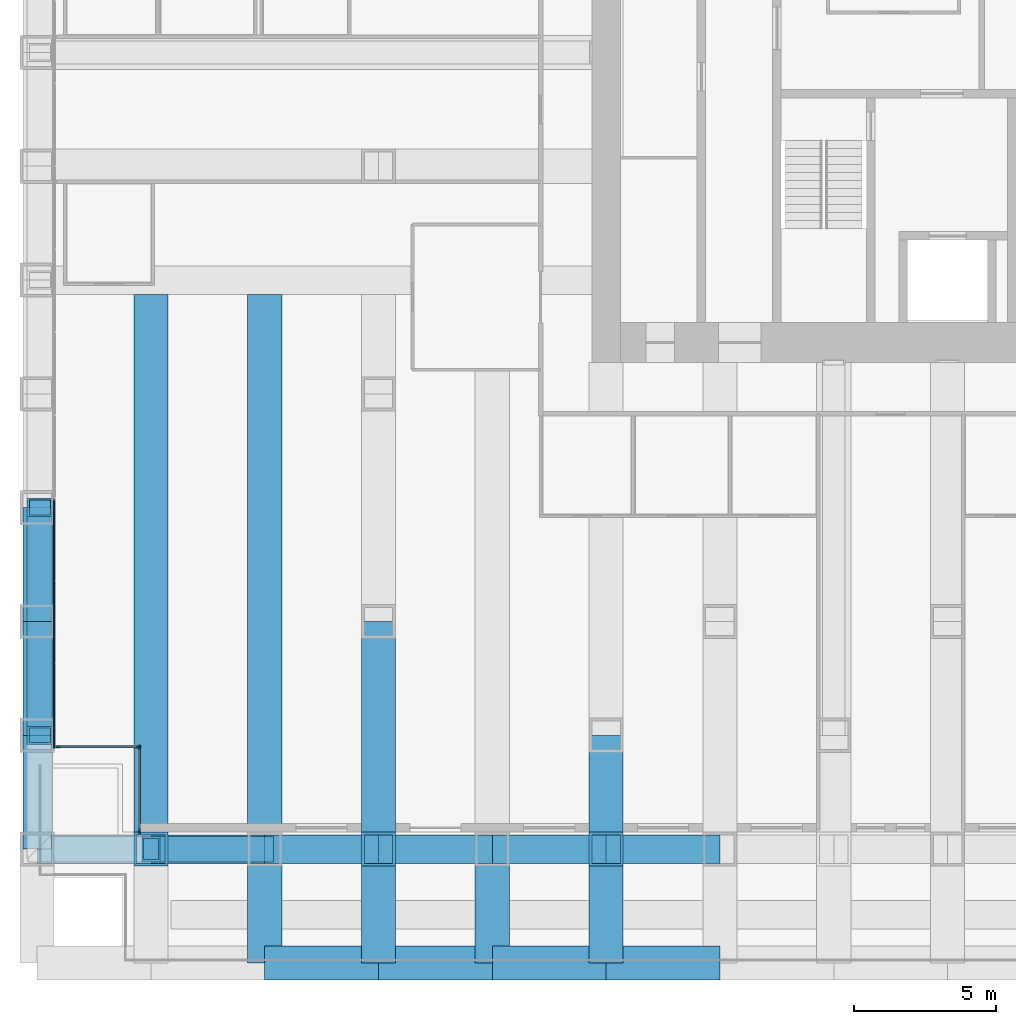
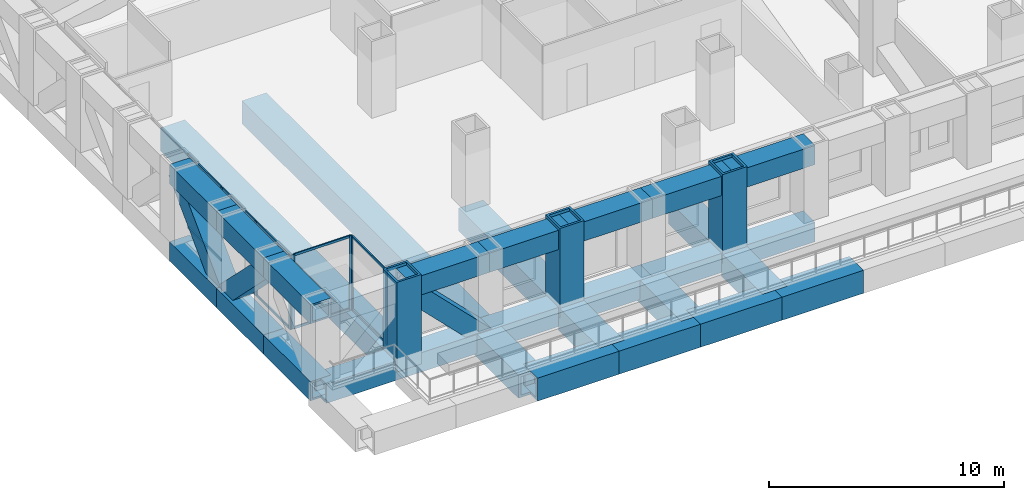
# One storey, part 2 of 18: 26 beams, 23 members, 3 elements without a shape of their own.
"""IFC4 building model written with IfcOpenShell, lengths in metres."""

from ifc_helpers import new_model, si_unit, direction, frame, origin, origin_2d, place, context, subcontext, project, spatial, rectangle, hollow_rectangle, extrude, material, material_profile, profile_set, type_object, element, aggregate, save


model = new_model("IFC4")

# Units and contexts
model_context = context("Model", 3, precision=1e-05, world=origin(), true_north=direction((0.0, 1.0)))
body_context = subcontext(model_context, "Body", "Model", "MODEL_VIEW")
ifc_project = project(units=[si_unit("LENGTHUNIT", "METRE"), si_unit("AREAUNIT", "SQUARE_METRE"), si_unit("VOLUMEUNIT", "CUBIC_METRE"), si_unit("PLANEANGLEUNIT", "RADIAN"), si_unit("MASSUNIT", "GRAM", prefix="KILO")], contexts=[model_context])

# Site, building, storey
site_placement = place(None, origin())
site = spatial("IfcSite", under=ifc_project, at=site_placement, CompositionType="ELEMENT")
building_placement = place(site_placement, origin())
building = spatial("IfcBuilding", under=site, at=building_placement, Name="Rimbunsela Tower", CompositionType="ELEMENT")
storey_placement = place(building_placement, frame((0.0, 0.0, 43.0)))
storey = spatial("IfcBuildingStorey", under=building, at=storey_placement, Name="L10", CompositionType="ELEMENT", Elevation=43.0)

# Beams
ifc_material_1 = material(Name="Steel BJ 55 (fy 410 MPa)", Category="steel")
ifc_material_profile_1 = material_profile(ifc_material_1, hollow_rectangle(XDim=1.199951171875, YDim=1.199951171875, WallThickness=0.10009765625, at=origin_2d()), Name="BOX 1200x1200x100")
ifc_profile_set_1 = profile_set([ifc_material_profile_1], Name="Steel BJ 55 (fy 410 MPa)")
beam_type_1 = type_object("IfcBeamType", Name="Beam BOX 1200x1200x100", PredefinedType="BEAM", material=ifc_profile_set_1)
beam_1_placement = place(storey_placement, frame((6.0, 0.0, -0.75), z_axis=(0.0, 1.0, 0.0), x_axis=(-1.0, 0.0, 0.0)))
element("IfcBeam", 1, at=beam_1_placement, inside=storey, type_object=beam_type_1, Name="Beam B5 L10", PredefinedType="BEAM", context=body_context, shape_type="SweptSolid", body=[
    extrude(hollow_rectangle(XDim=1.199951171875, YDim=1.199951171875, WallThickness=0.10009765625, at=origin_2d()), origin(), (0.0, 0.0, 1.0), 19.5),
])
beam_2_placement = place(storey_placement, frame((10.0, 0.5, -0.75), z_axis=(0.0, 1.0, 0.0), x_axis=(-1.0, 0.0, 0.0)))
element("IfcBeam", 2, at=beam_2_placement, inside=storey, type_object=beam_type_1, Name="Beam B5 L10", PredefinedType="BEAM", context=body_context, shape_type="SweptSolid", body=[
    extrude(hollow_rectangle(XDim=1.199951171875, YDim=1.199951171875, WallThickness=0.10009765625, at=origin_2d()), origin(), (0.0, 0.0, 1.0), 7.5),
])
beam_3_placement = place(storey_placement, frame((18.0, 0.5, -0.75), z_axis=(0.0, 1.0, 0.0), x_axis=(-1.0, 0.0, 0.0)))
element("IfcBeam", 3, at=beam_3_placement, inside=storey, type_object=beam_type_1, Name="Beam B5 L10", PredefinedType="BEAM", context=body_context, shape_type="SweptSolid", body=[
    extrude(hollow_rectangle(XDim=1.199951171875, YDim=1.199951171875, WallThickness=0.10009765625, at=origin_2d()), origin(), (0.0, 0.0, 1.0), 3.5),
])
ifc_material_2 = material(Name="Steel BJ 55 (fy 410 MPa)", Category="steel")
ifc_material_profile_2 = material_profile(ifc_material_2, hollow_rectangle(XDim=1.199951171875, YDim=1.199951171875, WallThickness=0.125, at=origin_2d()), Name="BOX 1200x1200x125")
ifc_profile_set_2 = profile_set([ifc_material_profile_2], Name="Steel BJ 55 (fy 410 MPa)")
beam_type_2 = type_object("IfcBeamType", Name="Beam BOX 1200x1200x125", PredefinedType="BEAM", material=ifc_profile_set_2)
beam_4_placement = place(storey_placement, frame((2.0, 0.5, -0.75), z_axis=(0.0, 1.0, 0.0), x_axis=(-1.0, 0.0, 0.0)))
element("IfcBeam", 4, at=beam_4_placement, inside=storey, type_object=beam_type_2, Name="Beam B4 L10", PredefinedType="BEAM", context=body_context, shape_type="SweptSolid", body=[
    extrude(hollow_rectangle(XDim=1.199951171875, YDim=1.199951171875, WallThickness=0.125, at=origin_2d()), origin(), (0.0, 0.0, 1.0), 19.0),
])
for number, where, z_axis, x_axis, name in (
    (5, (6.0, -4.0, -0.75), (0.0, 1.0, 0.0), (-1.0, 0.0, 0.0), "Beam B4 L10"),
    (6, (6.0, -4.0, -0.75), (1.0, 0.0, 0.0), (0.0, 1.0, 0.0), "Beam B4 L10"),
):
    element("IfcBeam", number, at=place(storey_placement, frame(where, z_axis=z_axis, x_axis=x_axis)), inside=storey, type_object=beam_type_2, Name=name, PredefinedType="BEAM", context=body_context, shape_type="SweptSolid", body=[
        extrude(hollow_rectangle(XDim=1.199951171875, YDim=1.199951171875, WallThickness=0.125, at=origin_2d()), origin(), (0.0, 0.0, 1.0), 4.0),
    ])
beam_5_placement = place(storey_placement, frame((10.0, -4.0, -0.75), z_axis=(0.0, 1.0, 0.0), x_axis=(-1.0, 0.0, 0.0)))
element("IfcBeam", 7, at=beam_5_placement, inside=storey, type_object=beam_type_2, Name="Beam B4 L10", PredefinedType="BEAM", context=body_context, shape_type="SweptSolid", body=[
    extrude(hollow_rectangle(XDim=1.199951171875, YDim=1.199951171875, WallThickness=0.125, at=origin_2d()), origin(), (0.0, 0.0, 1.0), 3.5),
])
for number, where, z_axis, x_axis, name in (
    (8, (10.0, -4.0, -0.75), (1.0, 0.0, 0.0), (0.0, 1.0, 0.0), "Beam B4 L10"),
    (9, (14.0, -4.0, -0.75), (0.0, 1.0, 0.0), (-1.0, 0.0, 0.0), "Beam B4 L10"),
    (10, (14.0, -4.0, -0.75), (1.0, 0.0, 0.0), (0.0, 1.0, 0.0), "Beam B4 L10"),
):
    element("IfcBeam", number, at=place(storey_placement, frame(where, z_axis=z_axis, x_axis=x_axis)), inside=storey, type_object=beam_type_2, Name=name, PredefinedType="BEAM", context=body_context, shape_type="SweptSolid", body=[
        extrude(hollow_rectangle(XDim=1.199951171875, YDim=1.199951171875, WallThickness=0.125, at=origin_2d()), origin(), (0.0, 0.0, 1.0), 4.0),
    ])
beam_6_placement = place(storey_placement, frame((18.0, -4.0, -0.75), z_axis=(0.0, 1.0, 0.0), x_axis=(-1.0, 0.0, 0.0)))
element("IfcBeam", 11, at=beam_6_placement, inside=storey, type_object=beam_type_2, Name="Beam B4 L10", PredefinedType="BEAM", context=body_context, shape_type="SweptSolid", body=[
    extrude(hollow_rectangle(XDim=1.199951171875, YDim=1.199951171875, WallThickness=0.125, at=origin_2d()), origin(), (0.0, 0.0, 1.0), 3.5),
])
beam_7_placement = place(storey_placement, frame((18.0, -4.0, -0.75), z_axis=(1.0, 0.0, 0.0), x_axis=(0.0, 1.0, 0.0)))
element("IfcBeam", 12, at=beam_7_placement, inside=storey, type_object=beam_type_2, Name="Beam B4 L10", PredefinedType="BEAM", context=body_context, shape_type="SweptSolid", body=[
    extrude(hollow_rectangle(XDim=1.199951171875, YDim=1.199951171875, WallThickness=0.125, at=origin_2d()), origin(), (0.0, 0.0, 1.0), 4.0),
])

# Curtain wall, members
ifc_material_3 = material(Name="Aluminium curtain wall", Category="aluminium")
curtain_wall_type_1 = type_object("IfcCurtainWallType", Name="Exoskeleton storey infill", PredefinedType="USERDEFINED", material=ifc_material_3)
curtain_wall_1_placement = place(storey_placement, origin())
curtain_wall_1 = element("IfcCurtainWall", 13, at=curtain_wall_1_placement, inside=storey, type_object=curtain_wall_type_1, Name="Exoskeleton storey infill L10", ObjectType="EXOSKELETON STOREY INFILL", PredefinedType="USERDEFINED")
ifc_material_4 = material(Name="Aluminium mullion", Category="aluminium")
ifc_material_profile_3 = material_profile(ifc_material_4, rectangle(XDim=0.06005859375, YDim=0.159912109375, at=origin_2d()), Name="Mullion 60x160")
ifc_profile_set_3 = profile_set([ifc_material_profile_3], Name="Aluminium mullion")
member_type_1 = type_object("IfcMemberType", Name="Curtain wall mullion 60x160", PredefinedType="MULLION", material=ifc_profile_set_3)
member_1_placement = place(storey_placement, frame((-1.39990234375, 9.428466796875, 0.0), z_axis=(0.0, 0.0, 1.0), x_axis=(1.0, 0.0, 0.0)))
member_1 = element("IfcMember", 14, at=member_1_placement, type_object=member_type_1, Name="CW2 mullion 13", PredefinedType="MULLION", context=body_context, shape_type="SweptSolid", body=[
    extrude(rectangle(XDim=0.06005859375, YDim=0.159912109375, at=origin_2d()), origin(), (0.0, 0.0, 1.0), 3.85009765625),
])
member_2_placement = place(storey_placement, frame((-1.39990234375, 6.514404296875, 0.0), z_axis=(0.0, 0.0, 1.0), x_axis=(1.0, 0.0, 0.0)))
member_2 = element("IfcMember", 15, at=member_2_placement, type_object=member_type_1, Name="CW2 mullion 14", PredefinedType="MULLION", context=body_context, shape_type="SweptSolid", body=[
    extrude(rectangle(XDim=0.06005859375, YDim=0.159912109375, at=origin_2d()), origin(), (0.0, 0.0, 1.0), 3.85009765625),
])
member_3_placement = place(storey_placement, frame((-1.39990234375, 3.6298828125, 0.0), z_axis=(0.0, 0.0, 1.0), x_axis=(1.0, 0.0, 0.0)))
member_3 = element("IfcMember", 16, at=member_3_placement, type_object=member_type_1, Name="CW2 mullion 15", PredefinedType="MULLION", context=body_context, shape_type="SweptSolid", body=[
    extrude(rectangle(XDim=0.06005859375, YDim=0.159912109375, at=origin_2d()), origin(), (0.0, 0.0, 1.0), 3.85009765625),
])

ifc_material_5 = material(Name="Aluminium curtain wall", Category="aluminium")
curtain_wall_type_2 = type_object("IfcCurtainWallType", Name="Corner glazing", PredefinedType="USERDEFINED", material=ifc_material_5)
curtain_wall_2_placement = place(storey_placement, origin())
curtain_wall_2 = element("IfcCurtainWall", 17, at=curtain_wall_2_placement, inside=storey, type_object=curtain_wall_type_2, Name="Corner glazing L10", ObjectType="CORNER GLAZING", PredefinedType="USERDEFINED")
member_4_placement = place(storey_placement, frame((-1.27001953125, 3.60009765625, 0.0), z_axis=(0.0, 0.0, 1.0), x_axis=(0.0, 1.0, 0.0)))
member_4 = element("IfcMember", 18, at=member_4_placement, type_object=member_type_1, Name="CW5 mullion 1", PredefinedType="MULLION", context=body_context, shape_type="SweptSolid", body=[
    extrude(rectangle(XDim=0.06005859375, YDim=0.159912109375, at=origin_2d()), origin(), (0.0, 0.0, 1.0), 3.85009765625),
])
member_5_placement = place(storey_placement, frame((1.570068359375, 3.60009765625, 0.0), z_axis=(0.0, 0.0, 1.0), x_axis=(0.0, 1.0, 0.0)))
member_5 = element("IfcMember", 19, at=member_5_placement, type_object=member_type_1, Name="CW5 mullion 2", PredefinedType="MULLION", context=body_context, shape_type="SweptSolid", body=[
    extrude(rectangle(XDim=0.06005859375, YDim=0.159912109375, at=origin_2d()), origin(), (0.0, 0.0, 1.0), 3.85009765625),
])

curtain_wall_3_placement = place(storey_placement, origin())
curtain_wall_3 = element("IfcCurtainWall", 20, at=curtain_wall_3_placement, inside=storey, type_object=curtain_wall_type_2, Name="Corner glazing L10", ObjectType="CORNER GLAZING", PredefinedType="USERDEFINED")
member_6_placement = place(storey_placement, frame((1.60009765625, 3.570068359375, 0.0), z_axis=(0.0, 0.0, 1.0), x_axis=(1.0, 0.0, 0.0)))
member_6 = element("IfcMember", 21, at=member_6_placement, type_object=member_type_1, Name="CW5 mullion 1", PredefinedType="MULLION", context=body_context, shape_type="SweptSolid", body=[
    extrude(rectangle(XDim=0.06005859375, YDim=0.159912109375, at=origin_2d()), origin(), (0.0, 0.0, 1.0), 3.85009765625),
])
member_7_placement = place(storey_placement, frame((1.60009765625, 0.6298828125, 0.0), z_axis=(0.0, 0.0, 1.0), x_axis=(1.0, 0.0, 0.0)))
member_7 = element("IfcMember", 22, at=member_7_placement, type_object=member_type_1, Name="CW5 mullion 2", PredefinedType="MULLION", context=body_context, shape_type="SweptSolid", body=[
    extrude(rectangle(XDim=0.06005859375, YDim=0.159912109375, at=origin_2d()), origin(), (0.0, 0.0, 1.0), 3.85009765625),
])

# Member
ifc_material_6 = material(Name="Aluminium transom", Category="aluminium")
ifc_material_profile_4 = material_profile(ifc_material_6, rectangle(XDim=0.06005859375, YDim=0.1201171875, at=origin_2d()), Name="Transom 60x120")
ifc_profile_set_4 = profile_set([ifc_material_profile_4], Name="Aluminium transom")
member_type_2 = type_object("IfcMemberType", Name="Curtain wall transom 60x120", PredefinedType="USERDEFINED", material=ifc_profile_set_4)
member_8_placement = place(storey_placement, frame((-1.39990234375, 12.312744140625, 0.030029296875), z_axis=(0.0, -1.0, 0.0), x_axis=(1.0, 0.0, 0.0)))
member_8 = element("IfcMember", 23, at=member_8_placement, type_object=member_type_2, Name="CW2 transom 12.1", ObjectType="TRANSOM", PredefinedType="USERDEFINED", context=body_context, shape_type="SweptSolid", body=[
    extrude(rectangle(XDim=0.06005859375, YDim=0.1201171875, at=origin_2d()), origin(), (0.0, 0.0, 1.0), 2.854248046875),
])

member_9_placement = place(storey_placement, frame((-1.39990234375, 12.312744140625, 3.820068359375), z_axis=(0.0, -1.0, 0.0), x_axis=(1.0, 0.0, 0.0)))
member_9 = element("IfcMember", 24, at=member_9_placement, type_object=member_type_2, Name="CW2 transom 12.2", ObjectType="TRANSOM", PredefinedType="USERDEFINED", context=body_context, shape_type="SweptSolid", body=[
    extrude(rectangle(XDim=0.06005859375, YDim=0.1201171875, at=origin_2d()), origin(), (0.0, 0.0, 1.0), 2.854248046875),
])

member_10_placement = place(storey_placement, frame((-1.39990234375, 9.398681640625, 0.030029296875), z_axis=(0.0, -1.0, 0.0), x_axis=(1.0, 0.0, 0.0)))
member_10 = element("IfcMember", 25, at=member_10_placement, type_object=member_type_2, Name="CW2 transom 13.1", ObjectType="TRANSOM", PredefinedType="USERDEFINED", context=body_context, shape_type="SweptSolid", body=[
    extrude(rectangle(XDim=0.06005859375, YDim=0.1201171875, at=origin_2d()), origin(), (0.0, 0.0, 1.0), 2.8544921875),
])

member_11_placement = place(storey_placement, frame((-1.39990234375, 9.398681640625, 3.820068359375), z_axis=(0.0, -1.0, 0.0), x_axis=(1.0, 0.0, 0.0)))
member_11 = element("IfcMember", 26, at=member_11_placement, type_object=member_type_2, Name="CW2 transom 13.2", ObjectType="TRANSOM", PredefinedType="USERDEFINED", context=body_context, shape_type="SweptSolid", body=[
    extrude(rectangle(XDim=0.06005859375, YDim=0.1201171875, at=origin_2d()), origin(), (0.0, 0.0, 1.0), 2.8544921875),
])

member_12_placement = place(storey_placement, frame((-1.39990234375, 6.484375, 0.030029296875), z_axis=(0.0, -1.0, 0.0), x_axis=(1.0, 0.0, 0.0)))
member_12 = element("IfcMember", 27, at=member_12_placement, type_object=member_type_2, Name="CW2 transom 14.1", ObjectType="TRANSOM", PredefinedType="USERDEFINED", context=body_context, shape_type="SweptSolid", body=[
    extrude(rectangle(XDim=0.06005859375, YDim=0.1201171875, at=origin_2d()), origin(), (0.0, 0.0, 1.0), 2.824462890625),
])

member_13_placement = place(storey_placement, frame((-1.39990234375, 6.484375, 3.820068359375), z_axis=(0.0, -1.0, 0.0), x_axis=(1.0, 0.0, 0.0)))
member_13 = element("IfcMember", 28, at=member_13_placement, type_object=member_type_2, Name="CW2 transom 14.2", ObjectType="TRANSOM", PredefinedType="USERDEFINED", context=body_context, shape_type="SweptSolid", body=[
    extrude(rectangle(XDim=0.06005859375, YDim=0.1201171875, at=origin_2d()), origin(), (0.0, 0.0, 1.0), 2.824462890625),
])

aggregate(curtain_wall_1, [member_1, member_2, member_3, member_8, member_9, member_10, member_11, member_12, member_13])

member_14_placement = place(storey_placement, frame((-1.239990234375, 3.60009765625, 0.030029296875), z_axis=(1.0, 0.0, 0.0), x_axis=(0.0, 1.0, 0.0)))
member_14 = element("IfcMember", 29, at=member_14_placement, type_object=member_type_2, Name="CW5 transom 1.1", ObjectType="TRANSOM", PredefinedType="USERDEFINED", context=body_context, shape_type="SweptSolid", body=[
    extrude(rectangle(XDim=0.06005859375, YDim=0.1201171875, at=origin_2d()), origin(), (0.0, 0.0, 1.0), 2.780029296875),
])

member_15_placement = place(storey_placement, frame((-1.239990234375, 3.60009765625, 3.820068359375), z_axis=(1.0, 0.0, 0.0), x_axis=(0.0, 1.0, 0.0)))
member_15 = element("IfcMember", 30, at=member_15_placement, type_object=member_type_2, Name="CW5 transom 1.2", ObjectType="TRANSOM", PredefinedType="USERDEFINED", context=body_context, shape_type="SweptSolid", body=[
    extrude(rectangle(XDim=0.06005859375, YDim=0.1201171875, at=origin_2d()), origin(), (0.0, 0.0, 1.0), 2.780029296875),
])

aggregate(curtain_wall_2, [member_4, member_5, member_14, member_15])

member_16_placement = place(storey_placement, frame((1.60009765625, 3.5400390625, 0.030029296875), z_axis=(0.0, -1.0, 0.0), x_axis=(1.0, 0.0, 0.0)))
member_16 = element("IfcMember", 31, at=member_16_placement, type_object=member_type_2, Name="CW5 transom 1.1", ObjectType="TRANSOM", PredefinedType="USERDEFINED", context=body_context, shape_type="SweptSolid", body=[
    extrude(rectangle(XDim=0.06005859375, YDim=0.1201171875, at=origin_2d()), origin(), (0.0, 0.0, 1.0), 2.880126953125),
])

member_17_placement = place(storey_placement, frame((1.60009765625, 3.5400390625, 3.820068359375), z_axis=(0.0, -1.0, 0.0), x_axis=(1.0, 0.0, 0.0)))
member_17 = element("IfcMember", 32, at=member_17_placement, type_object=member_type_2, Name="CW5 transom 1.2", ObjectType="TRANSOM", PredefinedType="USERDEFINED", context=body_context, shape_type="SweptSolid", body=[
    extrude(rectangle(XDim=0.06005859375, YDim=0.1201171875, at=origin_2d()), origin(), (0.0, 0.0, 1.0), 2.880126953125),
])

aggregate(curtain_wall_3, [member_6, member_7, member_16, member_17])

# Beams
ifc_material_7 = material(Name="Steel BJ 55 (fy 410 MPa)", Category="steel")
ifc_material_profile_5 = material_profile(ifc_material_7, hollow_rectangle(XDim=1.0, YDim=1.0, WallThickness=0.10009765625, at=origin_2d()), Name="BOX 1000x1000x100")
ifc_profile_set_5 = profile_set([ifc_material_profile_5], Name="Steel BJ 55 (fy 410 MPa)")
beam_type_3 = type_object("IfcBeamType", Name="Truss chord BOX 1000x1000x100", PredefinedType="USERDEFINED", material=ifc_profile_set_5)
for number, where, z_axis, x_axis, name in (
    (33, (2.0, 0.0, 3.35009765625), (1.0, 0.0, 0.0), (0.0, 1.0, 0.0), "Truss top chord TC1 S face L10"),
    (34, (6.0, 0.0, 3.35009765625), (1.0, 0.0, 0.0), (0.0, 1.0, 0.0), "Truss top chord TC1 S face L10"),
    (35, (10.0, 0.0, 3.35009765625), (1.0, 0.0, 0.0), (0.0, 1.0, 0.0), "Truss top chord TC1 S face L10"),
    (36, (14.0, 0.0, 3.35009765625), (1.0, 0.0, 0.0), (0.0, 1.0, 0.0), "Truss top chord TC1 S face L10"),
    (37, (18.0, 0.0, 3.35009765625), (1.0, 0.0, 0.0), (0.0, 1.0, 0.0), "Truss top chord TC1 S face L10"),
    (38, (-2.0, 0.0, 3.35009765625), (0.0, 1.0, 0.0), (-1.0, 0.0, 0.0), "Truss top chord TC1 W face L10"),
    (39, (-2.0, 4.0, 3.35009765625), (0.0, 1.0, 0.0), (-1.0, 0.0, 0.0), "Truss top chord TC1 W face L10"),
    (40, (-2.0, 8.0, 3.35009765625), (0.0, 1.0, 0.0), (-1.0, 0.0, 0.0), "Truss top chord TC1 W face L10"),
):
    element("IfcBeam", number, at=place(storey_placement, frame(where, z_axis=z_axis, x_axis=x_axis)), inside=storey, type_object=beam_type_3, Name=name, ObjectType="TRUSS CHORD", PredefinedType="USERDEFINED", context=body_context, shape_type="SweptSolid", body=[
        extrude(hollow_rectangle(XDim=1.0, YDim=1.0, WallThickness=0.10009765625, at=origin_2d()), origin(), (0.0, 0.0, 1.0), 4.0),
    ])
for number, where, z_axis, x_axis, name in (
    (41, (-2.0, 0.0, -0.64990234375), (1.0, 0.0, 0.0), (0.0, 1.0, 0.0), "Truss bottom chord TC1 S face L10"),
    (42, (6.0, 0.0, -0.64990234375), (1.0, 0.0, 0.0), (0.0, 1.0, 0.0), "Truss bottom chord TC1 S face L10"),
    (43, (14.0, 0.0, -0.64990234375), (1.0, 0.0, 0.0), (0.0, 1.0, 0.0), "Truss bottom chord TC1 S face L10"),
):
    element("IfcBeam", number, at=place(storey_placement, frame(where, z_axis=z_axis, x_axis=x_axis)), inside=storey, type_object=beam_type_3, Name=name, ObjectType="TRUSS CHORD", PredefinedType="USERDEFINED", context=body_context, shape_type="SweptSolid", body=[
        extrude(hollow_rectangle(XDim=1.0, YDim=1.0, WallThickness=0.10009765625, at=origin_2d()), origin(), (0.0, 0.0, 1.0), 8.0),
    ])
for number, where, z_axis, x_axis, name in (
    (44, (-2.0, 0.0, -0.64990234375), (0.0, 1.0, 0.0), (-1.0, 0.0, 0.0), "Truss bottom chord TC1 W face L10"),
    (45, (-2.0, 4.0, -0.64990234375), (0.0, 1.0, 0.0), (-1.0, 0.0, 0.0), "Truss bottom chord TC1 W face L10"),
    (46, (-2.0, 8.0, -0.64990234375), (0.0, 1.0, 0.0), (-1.0, 0.0, 0.0), "Truss bottom chord TC1 W face L10"),
):
    element("IfcBeam", number, at=place(storey_placement, frame(where, z_axis=z_axis, x_axis=x_axis)), inside=storey, type_object=beam_type_3, Name=name, ObjectType="TRUSS CHORD", PredefinedType="USERDEFINED", context=body_context, shape_type="SweptSolid", body=[
        extrude(hollow_rectangle(XDim=1.0, YDim=1.0, WallThickness=0.10009765625, at=origin_2d()), origin(), (0.0, 0.0, 1.0), 4.0),
    ])

# Members
ifc_material_8 = material(Name="Steel BJ 55 (fy 410 MPa)", Category="steel")
ifc_material_profile_6 = material_profile(ifc_material_8, hollow_rectangle(XDim=0.89990234375, YDim=0.89990234375, WallThickness=0.080078125, at=origin_2d()), Name="BOX 900x900x80")
ifc_profile_set_6 = profile_set([ifc_material_profile_6], Name="Steel BJ 55 (fy 410 MPa)")
member_type_3 = type_object("IfcMemberType", Name="Truss diagonal BOX 900x900x80", PredefinedType="BRACE", material=ifc_profile_set_6)
for number, where, z_axis, x_axis, name in (
    (47, (2.0, 0.0, 3.35009765625), (0.707106781187, 0.0, -0.707106781187), (0.0, 1.0, 0.0), "Truss diagonal TD1 S face L10"),
    (48, (-1.89990234375, 4.0, 3.35009765625), (0.0, 0.707106781187, -0.707106781187), (-1.0, 0.0, 0.0), "Truss diagonal TD1 W face L10"),
    (49, (-1.89990234375, 8.0, -0.64990234375), (0.0, 0.707106781187, 0.707106781187), (-1.0, 0.0, 0.0), "Truss diagonal TD1 W face L10"),
):
    element("IfcMember", number, at=place(storey_placement, frame(where, z_axis=z_axis, x_axis=x_axis)), inside=storey, type_object=member_type_3, Name=name, PredefinedType="BRACE", context=body_context, shape_type="SweptSolid", body=[
        extrude(hollow_rectangle(XDim=0.89990234375, YDim=0.89990234375, WallThickness=0.080078125, at=origin_2d()), origin(), (0.0, 0.0, 1.0), 5.65673828125),
    ])
ifc_material_9 = material(Name="Steel BJ 55 (fy 410 MPa)", Category="steel")
ifc_material_profile_7 = material_profile(ifc_material_9, hollow_rectangle(XDim=1.199951171875, YDim=1.199951171875, WallThickness=0.10009765625, at=origin_2d()), Name="BOX 1200x1200x100")
ifc_profile_set_7 = profile_set([ifc_material_profile_7], Name="Steel BJ 55 (fy 410 MPa)")
member_type_4 = type_object("IfcMemberType", Name="Truss post BOX 1200x1200x100", PredefinedType="POST", material=ifc_profile_set_7)
for number, where, z_axis, x_axis, name in (
    (50, (2.0, 0.0, -0.64990234375), (0.0, 0.0, 1.0), (1.0, 0.0, 0.0), "Truss post TP1 3/B L10"),
    (51, (10.0, 0.0, -0.64990234375), (0.0, 0.0, 1.0), (1.0, 0.0, 0.0), "Truss post TP1 5/B L10"),
    (52, (18.0, 0.0, -0.64990234375), (0.0, 0.0, 1.0), (1.0, 0.0, 0.0), "Truss post TP1 7/B L10"),
):
    element("IfcMember", number, at=place(storey_placement, frame(where, z_axis=z_axis, x_axis=x_axis)), inside=storey, type_object=member_type_4, Name=name, PredefinedType="POST", context=body_context, shape_type="SweptSolid", body=[
        extrude(hollow_rectangle(XDim=1.199951171875, YDim=1.199951171875, WallThickness=0.10009765625, at=origin_2d()), origin(), (0.0, 0.0, 1.0), 4.64990234375),
    ])

save(model, "model.ifc")
